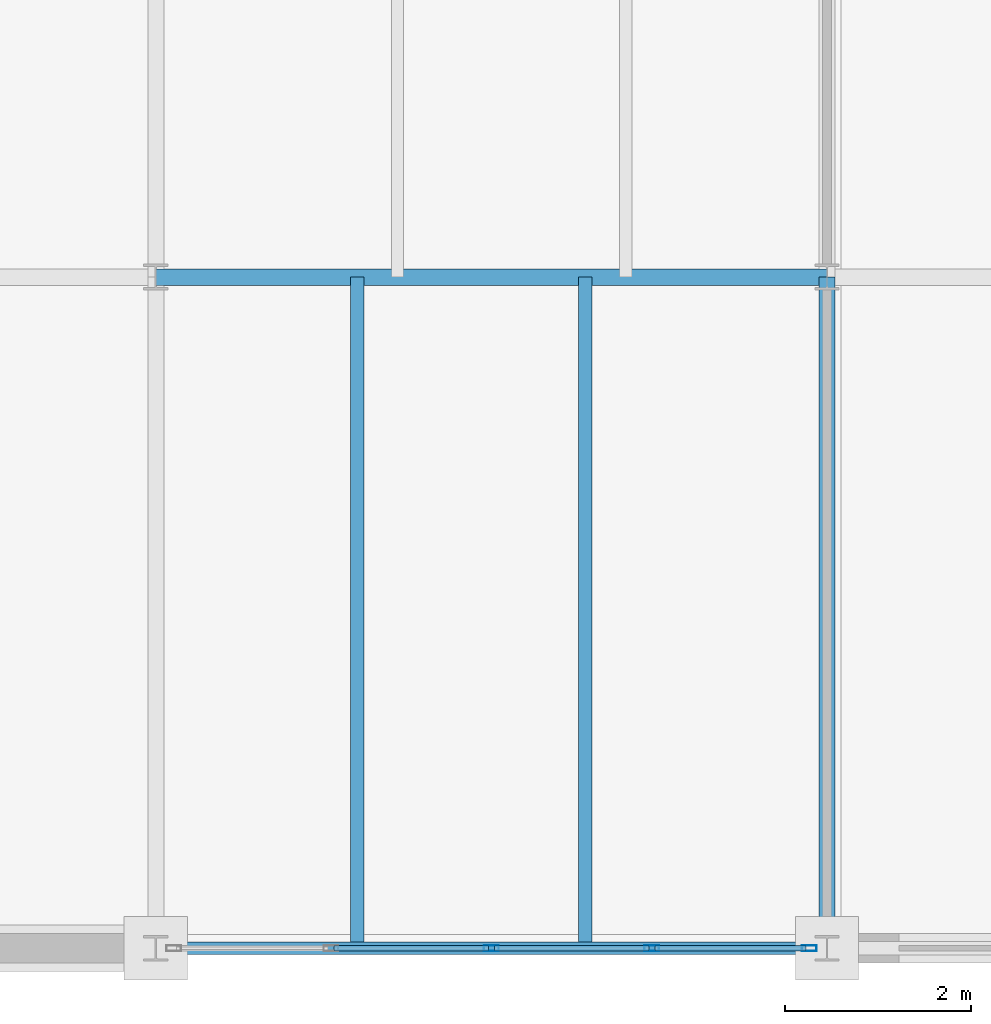
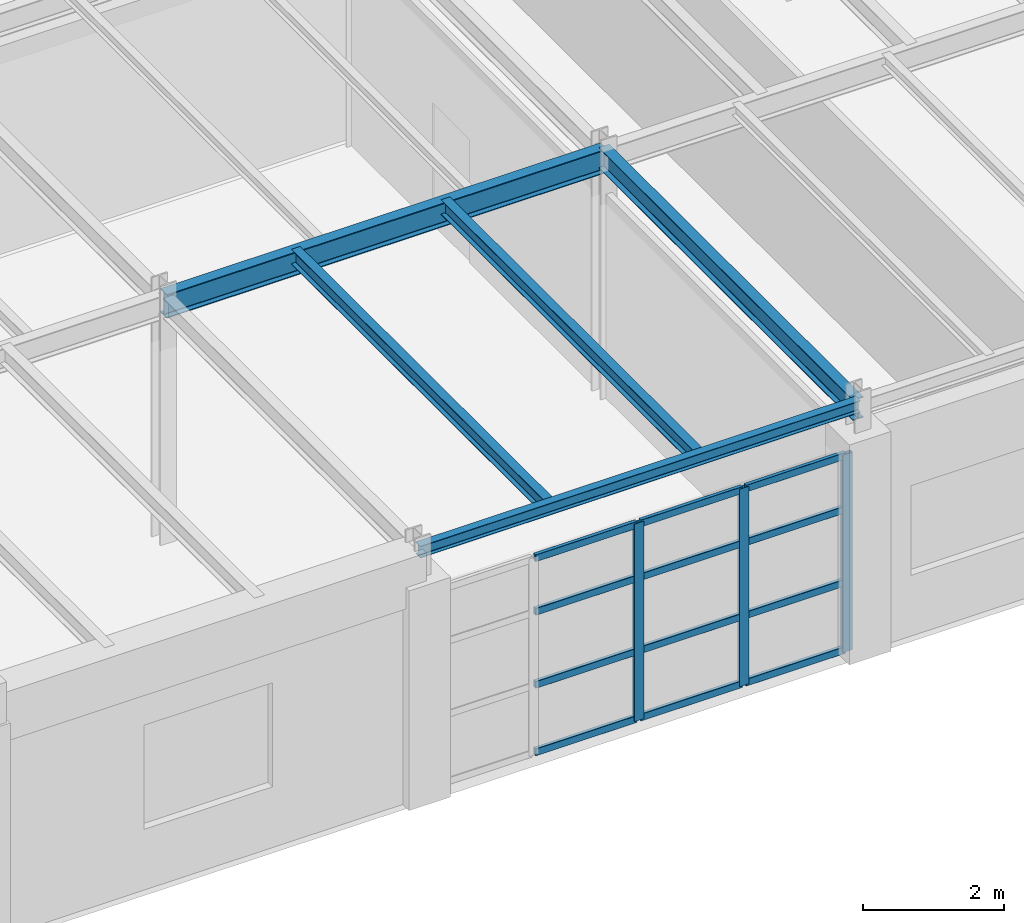
# One storey, part 13 of 101: 15 members, 5 beams, 1 element without a shape of its own.
"""IFC4 building model written with IfcOpenShell, lengths in metres."""

import ifcopenshell
import ifcopenshell.guid

model = None  # the IFC model being written
_history = None  # IfcOwnerHistory: only IFC2X3 demands one
_inside = {}  # id of a spatial element -> (the spatial element, [elements in it])
_under = {}  # id of a project, library or spatial element -> (it, [spatial elements below it])
_declared = {}  # id of a project -> (the project, [libraries it declares])
_typed = {}  # id of a type object -> (the type object, [elements of that type])
_made_of = {}  # id of a material, layer set ... -> (it, [elements and type objects made of it])


def new_model(schema):
    """Start an empty IFC model of exactly this schema.

    Asked for "IFC4X3", IfcOpenShell would pick the latest addendum, in which some entities
    have other attributes; the version numbers below select the first issue.
    IFC2X3 requires an IfcOwnerHistory on every rooted entity: one is made here for all.
    """
    global model, _history
    if schema == "IFC4X3":
        model = ifcopenshell.file(schema_version=(4, 3, 0, 0))
    else:
        model = ifcopenshell.file(schema=schema)
    _inside.clear()
    _under.clear()
    _declared.clear()
    _typed.clear()
    _made_of.clear()
    _history = None
    if model.schema == "IFC2X3":
        org = make("IfcOrganization", Name="unknown")
        user = make(
            "IfcPersonAndOrganization",
            ThePerson=make("IfcPerson", FamilyName="unknown"),
            TheOrganization=org,
        )
        app = make(
            "IfcApplication",
            ApplicationDeveloper=org,
            Version="unknown",
            ApplicationFullName="unknown",
            ApplicationIdentifier="unknown",
        )
        _history = make(
            "IfcOwnerHistory",
            OwningUser=user,
            OwningApplication=app,
            ChangeAction="ADDED",
            CreationDate=0,
        )
    return model


def make(cls, **values):
    """One entity of the class cls with the attributes given. An attribute that is None is left unset."""
    return model.create_entity(
        cls, **{name: value for name, value in values.items() if value is not None}
    )


def rooted(cls, **values):
    """An entity with a GlobalId (a new one), such as an element, a storey or a relation."""
    return make(cls, GlobalId=ifcopenshell.guid.new(), OwnerHistory=_history, **values)


def si_unit(unit_type, name, prefix=None):
    """IfcSIUnit, for example si_unit("LENGTHUNIT", "METRE", prefix="MILLI")."""
    return make("IfcSIUnit", UnitType=unit_type, Prefix=prefix, Name=name)


def assignment(units):
    """IfcUnitAssignment: the units of a project."""
    return None if units is None else make("IfcUnitAssignment", Units=units)


def point(xyz):
    """IfcCartesianPoint."""
    return None if xyz is None else make("IfcCartesianPoint", Coordinates=xyz)


def direction(xyz):
    """IfcDirection."""
    return None if xyz is None else make("IfcDirection", DirectionRatios=xyz)


def frame(location, z_axis=None, x_axis=None):
    """IfcAxis2Placement3D, a coordinate frame: its origin and axes. An axis left out is left unset."""
    return make(
        "IfcAxis2Placement3D",
        Location=point(location),
        Axis=direction(z_axis),
        RefDirection=direction(x_axis),
    )


def frame_2d(location, x_axis=None):
    """IfcAxis2Placement2D, a coordinate frame in the plane: its origin and x axis."""
    return make(
        "IfcAxis2Placement2D", Location=point(location), RefDirection=direction(x_axis)
    )


def origin():
    """The frame at (0, 0, 0) with its axes left unset."""
    return frame((0.0, 0.0, 0.0))


def origin_2d():
    """The frame at (0, 0) in the plane with its x axis left unset."""
    return frame_2d((0.0, 0.0))


def place(relative_to, where):
    """IfcLocalPlacement: puts the frame where relative to a parent placement (None: the world)."""
    return make(
        "IfcLocalPlacement", PlacementRelTo=relative_to, RelativePlacement=where
    )


def context(
    kind, dimensions, precision=None, world=None, true_north=None, identifier=None
):
    """IfcGeometricRepresentationContext, for example the 3D "Model" context."""
    return make(
        "IfcGeometricRepresentationContext",
        ContextIdentifier=identifier,
        ContextType=kind,
        CoordinateSpaceDimension=dimensions,
        Precision=precision,
        WorldCoordinateSystem=world,
        TrueNorth=true_north,
    )


def subcontext(parent, identifier, kind, view, scale=None):
    """IfcGeometricRepresentationSubContext, for example "Body" below "Model"."""
    return make(
        "IfcGeometricRepresentationSubContext",
        ContextIdentifier=identifier,
        ContextType=kind,
        ParentContext=parent,
        TargetScale=scale,
        TargetView=view,
    )


def project(units=None, contexts=None):
    """IfcProject with its units and contexts."""
    return rooted(
        "IfcProject",
        Name="project",
        RepresentationContexts=contexts,
        UnitsInContext=assignment(units),
    )


def spatial(cls, under=None, at=None, **own):
    """A site, building, storey or space (cls), placed at a placement, below another one or the project."""
    s = rooted(cls, ObjectPlacement=at, **own)
    if under is not None:
        _under.setdefault(under.id(), (under, []))[1].append(s)
    return s


def profile(cls, at=None, kind="AREA", **sizes):
    """A parametric profile (cls). Its sizes go by their IFC names, for example OverallWidth=200.0."""
    return make(cls, ProfileType=kind, Position=at, **sizes)


def hollow_rectangle(**sizes):
    """IfcRectangleHollowProfileDef."""
    return profile("IfcRectangleHollowProfileDef", **sizes)


def i_section(**sizes):
    """IfcIShapeProfileDef."""
    return profile("IfcIShapeProfileDef", **sizes)


def extrude(swept, where, along, depth):
    """IfcExtrudedAreaSolid: the profile swept, set in the frame where, extruded along a direction by depth."""
    return make(
        "IfcExtrudedAreaSolid",
        SweptArea=swept,
        Position=where,
        ExtrudedDirection=direction(along),
        Depth=depth,
    )


def shape(context_of_items, identifier, shape_type, items):
    """IfcShapeRepresentation: the items that make up one representation, for example the "Body"."""
    return make(
        "IfcShapeRepresentation",
        ContextOfItems=context_of_items,
        RepresentationIdentifier=identifier,
        RepresentationType=shape_type,
        Items=items,
    )


def material(Name=None, Category=None):
    """IfcMaterial."""
    return make("IfcMaterial", Name=Name, Category=Category)


def layer(
    of_material, thickness, ventilated=None, Name=None, Category=None, Priority=None
):
    """IfcMaterialLayer: one layer of a wall or slab, of a material (None: an air gap)."""
    return make(
        "IfcMaterialLayer",
        Material=of_material,
        LayerThickness=thickness,
        IsVentilated=ventilated,
        Name=Name,
        Category=Category,
        Priority=Priority,
    )


def layer_set(layers, Name=None):
    """IfcMaterialLayerSet."""
    return make("IfcMaterialLayerSet", MaterialLayers=layers, LayerSetName=Name)


def material_profile(
    of_material, cross_section, Name=None, Category=None, Priority=None
):
    """IfcMaterialProfile: a cross section and its material."""
    return make(
        "IfcMaterialProfile",
        Name=Name,
        Material=of_material,
        Profile=cross_section,
        Priority=Priority,
        Category=Category,
    )


def profile_set(profiles, Name=None, composite=None):
    """IfcMaterialProfileSet."""
    return make(
        "IfcMaterialProfileSet",
        Name=Name,
        MaterialProfiles=profiles,
        CompositeProfile=composite,
    )


def made_of(thing, what):
    """Note that an element or type object is made of a material, layer set ...; save() writes the relation."""
    if what is not None:
        _made_of.setdefault(what.id(), (what, []))[1].append(thing)
    return thing


def type_object(cls, material=None, **own):
    """A type object (cls), such as IfcWallType, which elements share."""
    return made_of(rooted(cls, **own), material)


def element(
    cls,
    number,
    at=None,
    inside=None,
    cuts=None,
    type_object=None,
    material=None,
    context=None,
    identifier="Body",
    shape_type=None,
    held_by="IfcProductDefinitionShape",
    body=None,
    shapes=None,
    **own,
):
    """One element of the class cls, such as IfcWall. Its Tag is "e" and its number.

    at: its placement. inside: the storey or other place that contains it. cuts: it is an
    opening in that element (IfcRelVoidsElement). A single representation is given by context,
    identifier, shape_type and body (its items); several are given by shapes. held_by: the class
    of the entity that holds the representations. save() writes the other relations.
    """
    e = rooted(cls, Tag="e%d" % number, ObjectPlacement=at, **own)
    if body is not None:
        shapes = [shape(context, identifier, shape_type, body)]
    if shapes is not None:
        e.Representation = make(held_by, Representations=shapes)
    if inside is not None:
        _inside.setdefault(inside.id(), (inside, []))[1].append(e)
    if cuts is not None:
        rooted(
            "IfcRelVoidsElement", RelatingBuildingElement=cuts, RelatedOpeningElement=e
        )
    if type_object is not None:
        _typed.setdefault(type_object.id(), (type_object, []))[1].append(e)
    return made_of(e, material)


def aggregate(whole, parts):
    """IfcRelAggregates: a whole, such as a stair, and the parts it consists of."""
    return rooted("IfcRelAggregates", RelatingObject=whole, RelatedObjects=parts)


def save(model, path):
    """Write the relations noted so far, then the file.

    IfcRelAggregates (storeys below a building ...), IfcRelContainedInSpatialStructure (elements
    in a storey), IfcRelDefinesByType, IfcRelAssociatesMaterial and IfcRelDeclares: one each for
    every whole, place, type object, material and project.
    """
    for whole, parts in _under.values():
        aggregate(whole, parts)
    for where, things in _inside.values():
        rooted(
            "IfcRelContainedInSpatialStructure",
            RelatedElements=things,
            RelatingStructure=where,
        )
    for kind, things in _typed.values():
        rooted("IfcRelDefinesByType", RelatedObjects=things, RelatingType=kind)
    for what, things in _made_of.values():
        rooted("IfcRelAssociatesMaterial", RelatedObjects=things, RelatingMaterial=what)
    for by, libraries in _declared.values():
        rooted("IfcRelDeclares", RelatingContext=by, RelatedDefinitions=libraries)
    model.write(path)


model = new_model("IFC4")

# Units and contexts
model_context = context("Model", 3, precision=1e-05, world=origin(), true_north=direction((0.0, 1.0)))
body_context = subcontext(model_context, "Body", "Model", "MODEL_VIEW")
ifc_project = project(units=[si_unit("LENGTHUNIT", "METRE"), si_unit("AREAUNIT", "SQUARE_METRE"), si_unit("VOLUMEUNIT", "CUBIC_METRE"), si_unit("PLANEANGLEUNIT", "RADIAN"), si_unit("MASSUNIT", "GRAM", prefix="KILO")], contexts=[model_context])

# Site, building, storey
site_placement = place(None, origin())
site = spatial("IfcSite", under=ifc_project, at=site_placement, CompositionType="ELEMENT")
building_placement = place(site_placement, origin())
building = spatial("IfcBuilding", under=site, at=building_placement, Name="Kemerveld Promenade Tramway Depot", CompositionType="ELEMENT")
storey_placement = place(building_placement, frame((0.0, 0.0, 9.89990234375)))
storey = spatial("IfcBuildingStorey", under=building, at=storey_placement, Name="L02", CompositionType="ELEMENT", Elevation=9.89990234375)

# Beams
ifc_material_1 = material(Name="Steel S355", Category="steel")
ifc_material_profile_1 = material_profile(ifc_material_1, i_section(OverallWidth=0.1787109375, OverallDepth=0.409423828125, WebThickness=0.0087890625, FlangeThickness=0.014404296875, FilletRadius=0.01025390625, at=origin_2d()), Name="406x178x67 UB")
ifc_profile_set_1 = profile_set([ifc_material_profile_1], Name="Steel S355")
beam_type_1 = type_object("IfcBeamType", Name="BM-G07", PredefinedType="BEAM", material=ifc_profile_set_1)
beam_1_placement = place(storey_placement, frame((7.199951171875, 7.199951171875, 4.080322265625), z_axis=(1.0, 0.0, 0.0), x_axis=(0.0, 1.0, 0.0)))
element("IfcBeam", 1, at=beam_1_placement, inside=storey, type_object=beam_type_1, Name="BMX-L02-02-03-B", PredefinedType="BEAM", context=body_context, shape_type="SweptSolid", body=[
    extrude(i_section(OverallWidth=0.1787109375, OverallDepth=0.409423828125, WebThickness=0.0087890625, FlangeThickness=0.014404296875, FilletRadius=0.01025390625, at=origin_2d()), origin(), (0.0, 0.0, 1.0), 7.199951171875),
])
ifc_material_profile_2 = material_profile(ifc_material_1, i_section(OverallWidth=0.172119140625, OverallDepth=0.35791015625, WebThickness=0.008056640625, FlangeThickness=0.012939453125, FilletRadius=0.01025390625, at=origin_2d()), Name="356x171x57 UB")
ifc_profile_set_2 = profile_set([ifc_material_profile_2], Name="Steel S355")
beam_type_2 = type_object("IfcBeamType", Name="BM-G08", PredefinedType="BEAM", material=ifc_profile_set_2)
beam_2_placement = place(storey_placement, frame((14.39990234375, 0.0, 4.106201171875), z_axis=(0.0, 1.0, 0.0), x_axis=(-1.0, 0.0, 0.0)))
element("IfcBeam", 2, at=beam_2_placement, inside=storey, type_object=beam_type_2, Name="BMY-L02-03-A-B", PredefinedType="BEAM", context=body_context, shape_type="SweptSolid", body=[
    extrude(i_section(OverallWidth=0.172119140625, OverallDepth=0.35791015625, WebThickness=0.008056640625, FlangeThickness=0.012939453125, FilletRadius=0.01025390625, at=origin_2d()), origin(), (0.0, 0.0, 1.0), 7.199951171875),
])
ifc_material_profile_3 = material_profile(ifc_material_1, i_section(OverallWidth=0.13330078125, OverallDepth=0.203125, WebThickness=0.005615234375, FlangeThickness=0.0078125, FilletRadius=0.007568359375, at=origin_2d()), Name="203x133x25 UB")
ifc_profile_set_3 = profile_set([ifc_material_profile_3], Name="Steel S355")
beam_type_3 = type_object("IfcBeamType", Name="BM-G14", PredefinedType="BEAM", material=ifc_profile_set_3)
beam_3_placement = place(storey_placement, frame((7.199951171875, 0.0, 4.18359375), z_axis=(1.0, 0.0, 0.0), x_axis=(0.0, 1.0, 0.0)))
element("IfcBeam", 3, at=beam_3_placement, inside=storey, type_object=beam_type_3, Name="BMX-L02-02-03-A", PredefinedType="BEAM", context=body_context, shape_type="SweptSolid", body=[
    extrude(i_section(OverallWidth=0.13330078125, OverallDepth=0.203125, WebThickness=0.005615234375, FlangeThickness=0.0078125, FilletRadius=0.007568359375, at=origin_2d()), origin(), (0.0, 0.0, 1.0), 7.199951171875),
])
ifc_material_profile_4 = material_profile(ifc_material_1, i_section(OverallWidth=0.146484375, OverallDepth=0.256103515625, WebThickness=0.00634765625, FlangeThickness=0.010986328125, FilletRadius=0.007568359375, at=origin_2d()), Name="254x146x37 UB")
ifc_profile_set_4 = profile_set([ifc_material_profile_4], Name="Steel S355")
beam_type_4 = type_object("IfcBeamType", Name="BM-J02", PredefinedType="JOIST", material=ifc_profile_set_4)
for number, where, z_axis, x_axis, name in (
    (4, (9.360107421875, 0.0, 4.156982421875), (0.0, 1.0, 0.0), (-1.0, 0.0, 0.0), "JST-L02-02-A-1"),
    (5, (11.80810546875, 0.0, 4.156982421875), (0.0, 1.0, 0.0), (-1.0, 0.0, 0.0), "JST-L02-02-A-2"),
):
    element("IfcBeam", number, at=place(storey_placement, frame(where, z_axis=z_axis, x_axis=x_axis)), inside=storey, type_object=beam_type_4, Name=name, PredefinedType="JOIST", context=body_context, shape_type="SweptSolid", body=[
        extrude(i_section(OverallWidth=0.146484375, OverallDepth=0.256103515625, WebThickness=0.00634765625, FlangeThickness=0.010986328125, FilletRadius=0.007568359375, at=origin_2d()), origin(), (0.0, 0.0, 1.0), 7.199951171875),
    ])

# Curtain wall, members
ifc_material_2 = material(Name="Bronze anodised aluminium and solar glass", Category="aluminium")
ifc_layer = layer(ifc_material_2, 0.159912109375)
ifc_layer_set = layer_set([ifc_layer], Name="CW-SYS-09")
curtain_wall_type = type_object("IfcCurtainWallType", Name="CW-SYS-09", PredefinedType="USERDEFINED", material=ifc_layer_set)
curtain_wall_placement = place(storey_placement, origin())
curtain_wall = element("IfcCurtainWall", 6, at=curtain_wall_placement, inside=storey, type_object=curtain_wall_type, Name="CW-L02-V5S-06", ObjectType="GLAZED_CURTAIN_WALL", PredefinedType="USERDEFINED")
ifc_material_3 = material(Name="Bronze anodised aluminium", Category="aluminium")
ifc_material_profile_5 = material_profile(ifc_material_3, hollow_rectangle(XDim=0.06494140625, YDim=0.159912109375, WallThickness=0.00390625, InnerFilletRadius=0.001953125, OuterFilletRadius=0.00390625, at=origin_2d()), Name="CW-MUL-160x65")
ifc_profile_set_5 = profile_set([ifc_material_profile_5], Name="Bronze anodised aluminium")
member_type_1 = type_object("IfcMemberType", Name="CW-MUL-A", PredefinedType="MULLION", material=ifc_profile_set_5)
member_1_placement = place(storey_placement, frame((14.20947265625, 0.0, 0.0), z_axis=(0.0, 0.0, 1.0), x_axis=(0.0, -1.0, 0.0)))
member_1 = element("IfcMember", 7, at=member_1_placement, type_object=member_type_1, Name="CW09 mullion 1", PredefinedType="MULLION", context=body_context, shape_type="SweptSolid", body=[
    extrude(hollow_rectangle(XDim=0.06494140625, YDim=0.159912109375, WallThickness=0.00390625, InnerFilletRadius=0.001953125, OuterFilletRadius=0.00390625, at=origin_2d()), origin(), (0.0, 0.0, 1.0), 3.4150390625),
])
member_2_placement = place(storey_placement, frame((12.52099609375, 0.0, 0.0), z_axis=(0.0, 0.0, 1.0), x_axis=(0.0, -1.0, 0.0)))
member_2 = element("IfcMember", 8, at=member_2_placement, type_object=member_type_1, Name="CW09 mullion 2", PredefinedType="MULLION", context=body_context, shape_type="SweptSolid", body=[
    extrude(hollow_rectangle(XDim=0.06494140625, YDim=0.159912109375, WallThickness=0.00390625, InnerFilletRadius=0.001953125, OuterFilletRadius=0.00390625, at=origin_2d()), origin(), (0.0, 0.0, 1.0), 3.4150390625),
])
member_3_placement = place(storey_placement, frame((10.800048828125, 0.0, 0.0), z_axis=(0.0, 0.0, 1.0), x_axis=(0.0, -1.0, 0.0)))
member_3 = element("IfcMember", 9, at=member_3_placement, type_object=member_type_1, Name="CW09 mullion 3", PredefinedType="MULLION", context=body_context, shape_type="SweptSolid", body=[
    extrude(hollow_rectangle(XDim=0.06494140625, YDim=0.159912109375, WallThickness=0.00390625, InnerFilletRadius=0.001953125, OuterFilletRadius=0.00390625, at=origin_2d()), origin(), (0.0, 0.0, 1.0), 3.4150390625),
])
ifc_material_profile_6 = material_profile(ifc_material_3, hollow_rectangle(XDim=0.06005859375, YDim=0.1201171875, WallThickness=0.00390625, InnerFilletRadius=0.001953125, OuterFilletRadius=0.00390625, at=origin_2d()), Name="CW-TRN-120x60")
ifc_profile_set_6 = profile_set([ifc_material_profile_6], Name="Bronze anodised aluminium")
member_type_2 = type_object("IfcMemberType", Name="CW-TRN-A", PredefinedType="USERDEFINED", material=ifc_profile_set_6)
member_4_placement = place(storey_placement, frame((14.177001953125, 0.0, 0.030029296875), z_axis=(-1.0, 0.0, 0.0), x_axis=(0.0, -1.0, 0.0)))
member_4 = element("IfcMember", 10, at=member_4_placement, type_object=member_type_2, Name="CW09 transom 1.1", ObjectType="TRANSOM", PredefinedType="USERDEFINED", context=body_context, shape_type="SweptSolid", body=[
    extrude(hollow_rectangle(XDim=0.06005859375, YDim=0.1201171875, WallThickness=0.00390625, InnerFilletRadius=0.001953125, OuterFilletRadius=0.00390625, at=origin_2d()), origin(), (0.0, 0.0, 1.0), 1.62353515625),
])
member_5_placement = place(storey_placement, frame((14.177001953125, 0.0, 1.195068359375), z_axis=(-1.0, 0.0, 0.0), x_axis=(0.0, -1.0, 0.0)))
member_5 = element("IfcMember", 11, at=member_5_placement, type_object=member_type_2, Name="CW09 transom 1.2", ObjectType="TRANSOM", PredefinedType="USERDEFINED", context=body_context, shape_type="SweptSolid", body=[
    extrude(hollow_rectangle(XDim=0.06005859375, YDim=0.1201171875, WallThickness=0.00390625, InnerFilletRadius=0.001953125, OuterFilletRadius=0.00390625, at=origin_2d()), origin(), (0.0, 0.0, 1.0), 1.62353515625),
])
member_6_placement = place(storey_placement, frame((14.177001953125, 0.0, 2.458984375), z_axis=(-1.0, 0.0, 0.0), x_axis=(0.0, -1.0, 0.0)))
member_6 = element("IfcMember", 12, at=member_6_placement, type_object=member_type_2, Name="CW09 transom 1.3", ObjectType="TRANSOM", PredefinedType="USERDEFINED", context=body_context, shape_type="SweptSolid", body=[
    extrude(hollow_rectangle(XDim=0.06005859375, YDim=0.1201171875, WallThickness=0.00390625, InnerFilletRadius=0.001953125, OuterFilletRadius=0.00390625, at=origin_2d()), origin(), (0.0, 0.0, 1.0), 1.62353515625),
])
member_7_placement = place(storey_placement, frame((14.177001953125, 0.0, 3.385009765625), z_axis=(-1.0, 0.0, 0.0), x_axis=(0.0, -1.0, 0.0)))
member_7 = element("IfcMember", 13, at=member_7_placement, type_object=member_type_2, Name="CW09 transom 1.4", ObjectType="TRANSOM", PredefinedType="USERDEFINED", context=body_context, shape_type="SweptSolid", body=[
    extrude(hollow_rectangle(XDim=0.06005859375, YDim=0.1201171875, WallThickness=0.00390625, InnerFilletRadius=0.001953125, OuterFilletRadius=0.00390625, at=origin_2d()), origin(), (0.0, 0.0, 1.0), 1.62353515625),
])
member_8_placement = place(storey_placement, frame((12.488525390625, 0.0, 0.030029296875), z_axis=(-1.0, 0.0, 0.0), x_axis=(0.0, -1.0, 0.0)))
member_8 = element("IfcMember", 14, at=member_8_placement, type_object=member_type_2, Name="CW09 transom 2.1", ObjectType="TRANSOM", PredefinedType="USERDEFINED", context=body_context, shape_type="SweptSolid", body=[
    extrude(hollow_rectangle(XDim=0.06005859375, YDim=0.1201171875, WallThickness=0.00390625, InnerFilletRadius=0.001953125, OuterFilletRadius=0.00390625, at=origin_2d()), origin(), (0.0, 0.0, 1.0), 1.656005859375),
])
member_9_placement = place(storey_placement, frame((12.488525390625, 0.0, 1.195068359375), z_axis=(-1.0, 0.0, 0.0), x_axis=(0.0, -1.0, 0.0)))
member_9 = element("IfcMember", 15, at=member_9_placement, type_object=member_type_2, Name="CW09 transom 2.2", ObjectType="TRANSOM", PredefinedType="USERDEFINED", context=body_context, shape_type="SweptSolid", body=[
    extrude(hollow_rectangle(XDim=0.06005859375, YDim=0.1201171875, WallThickness=0.00390625, InnerFilletRadius=0.001953125, OuterFilletRadius=0.00390625, at=origin_2d()), origin(), (0.0, 0.0, 1.0), 1.656005859375),
])
member_10_placement = place(storey_placement, frame((12.488525390625, 0.0, 2.458984375), z_axis=(-1.0, 0.0, 0.0), x_axis=(0.0, -1.0, 0.0)))
member_10 = element("IfcMember", 16, at=member_10_placement, type_object=member_type_2, Name="CW09 transom 2.3", ObjectType="TRANSOM", PredefinedType="USERDEFINED", context=body_context, shape_type="SweptSolid", body=[
    extrude(hollow_rectangle(XDim=0.06005859375, YDim=0.1201171875, WallThickness=0.00390625, InnerFilletRadius=0.001953125, OuterFilletRadius=0.00390625, at=origin_2d()), origin(), (0.0, 0.0, 1.0), 1.656005859375),
])
member_11_placement = place(storey_placement, frame((12.488525390625, 0.0, 3.385009765625), z_axis=(-1.0, 0.0, 0.0), x_axis=(0.0, -1.0, 0.0)))
member_11 = element("IfcMember", 17, at=member_11_placement, type_object=member_type_2, Name="CW09 transom 2.4", ObjectType="TRANSOM", PredefinedType="USERDEFINED", context=body_context, shape_type="SweptSolid", body=[
    extrude(hollow_rectangle(XDim=0.06005859375, YDim=0.1201171875, WallThickness=0.00390625, InnerFilletRadius=0.001953125, OuterFilletRadius=0.00390625, at=origin_2d()), origin(), (0.0, 0.0, 1.0), 1.656005859375),
])
member_12_placement = place(storey_placement, frame((10.767578125, 0.0, 0.030029296875), z_axis=(-1.0, 0.0, 0.0), x_axis=(0.0, -1.0, 0.0)))
member_12 = element("IfcMember", 18, at=member_12_placement, type_object=member_type_2, Name="CW09 transom 3.1", ObjectType="TRANSOM", PredefinedType="USERDEFINED", context=body_context, shape_type="SweptSolid", body=[
    extrude(hollow_rectangle(XDim=0.06005859375, YDim=0.1201171875, WallThickness=0.00390625, InnerFilletRadius=0.001953125, OuterFilletRadius=0.00390625, at=origin_2d()), origin(), (0.0, 0.0, 1.0), 1.656005859375),
])
member_13_placement = place(storey_placement, frame((10.767578125, 0.0, 1.195068359375), z_axis=(-1.0, 0.0, 0.0), x_axis=(0.0, -1.0, 0.0)))
member_13 = element("IfcMember", 19, at=member_13_placement, type_object=member_type_2, Name="CW09 transom 3.2", ObjectType="TRANSOM", PredefinedType="USERDEFINED", context=body_context, shape_type="SweptSolid", body=[
    extrude(hollow_rectangle(XDim=0.06005859375, YDim=0.1201171875, WallThickness=0.00390625, InnerFilletRadius=0.001953125, OuterFilletRadius=0.00390625, at=origin_2d()), origin(), (0.0, 0.0, 1.0), 1.656005859375),
])
member_14_placement = place(storey_placement, frame((10.767578125, 0.0, 2.458984375), z_axis=(-1.0, 0.0, 0.0), x_axis=(0.0, -1.0, 0.0)))
member_14 = element("IfcMember", 20, at=member_14_placement, type_object=member_type_2, Name="CW09 transom 3.3", ObjectType="TRANSOM", PredefinedType="USERDEFINED", context=body_context, shape_type="SweptSolid", body=[
    extrude(hollow_rectangle(XDim=0.06005859375, YDim=0.1201171875, WallThickness=0.00390625, InnerFilletRadius=0.001953125, OuterFilletRadius=0.00390625, at=origin_2d()), origin(), (0.0, 0.0, 1.0), 1.656005859375),
])
member_15_placement = place(storey_placement, frame((10.767578125, 0.0, 3.385009765625), z_axis=(-1.0, 0.0, 0.0), x_axis=(0.0, -1.0, 0.0)))
member_15 = element("IfcMember", 21, at=member_15_placement, type_object=member_type_2, Name="CW09 transom 3.4", ObjectType="TRANSOM", PredefinedType="USERDEFINED", context=body_context, shape_type="SweptSolid", body=[
    extrude(hollow_rectangle(XDim=0.06005859375, YDim=0.1201171875, WallThickness=0.00390625, InnerFilletRadius=0.001953125, OuterFilletRadius=0.00390625, at=origin_2d()), origin(), (0.0, 0.0, 1.0), 1.656005859375),
])
aggregate(curtain_wall, [member_1, member_2, member_3, member_4, member_5, member_6, member_7, member_8, member_9, member_10, member_11, member_12, member_13, member_14, member_15])

save(model, "model.ifc")
